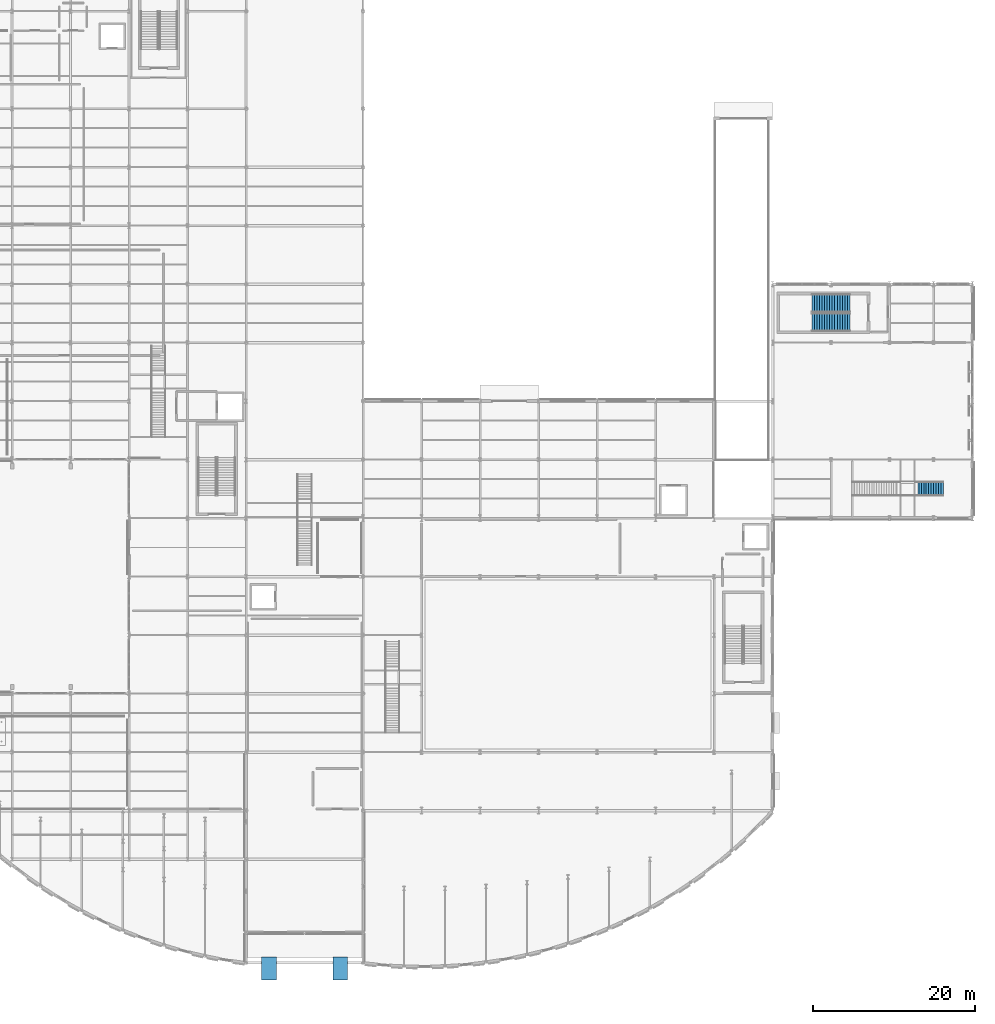
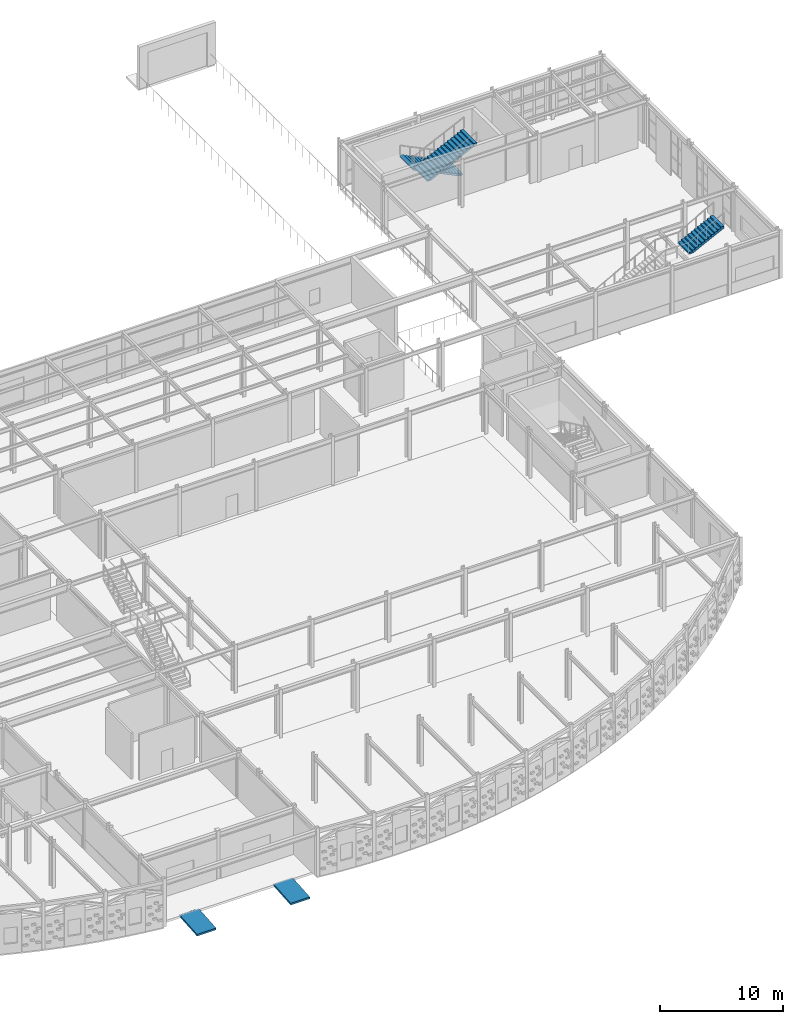
# One storey, part 67 of 83: 3 stair flights, 2 ramp flights, 4 elements without a shape of their own.
"""IFC4 building model written with IfcOpenShell, lengths in metres."""

from ifc_helpers import new_model, si_unit, direction, frame, origin, place, context, subcontext, project, spatial, polyline, outline, extrude, material, layer, layer_set, type_object, element, aggregate, save


model = new_model("IFC4")

# Units and contexts
model_context = context("Model", 3, precision=1e-05, world=origin(), true_north=direction((0.0, 1.0)))
body_context = subcontext(model_context, "Body", "Model", "MODEL_VIEW")
ifc_project = project(units=[si_unit("LENGTHUNIT", "METRE"), si_unit("AREAUNIT", "SQUARE_METRE"), si_unit("VOLUMEUNIT", "CUBIC_METRE"), si_unit("PLANEANGLEUNIT", "RADIAN"), si_unit("MASSUNIT", "GRAM", prefix="KILO")], contexts=[model_context])

# Site, building, storey
site_placement = place(None, origin())
site = spatial("IfcSite", under=ifc_project, at=site_placement, CompositionType="ELEMENT")
building_placement = place(site_placement, origin())
building = spatial("IfcBuilding", under=site, at=building_placement, Name="Solvadek Multi-Sports Hall", CompositionType="ELEMENT")
storey_placement = place(building_placement, origin())
storey = spatial("IfcBuildingStorey", under=building, at=storey_placement, Name="L00", CompositionType="ELEMENT", Elevation=0.0)

# Stair, stair flights
ifc_material = material(Name="Concrete M35", Category="concrete")
stair_type_1 = type_object("IfcStairType", Name="INT-STR-DOG220", PredefinedType="USERDEFINED", material=ifc_material)
stair_1_placement = place(storey_placement, origin())
stair_1 = element("IfcStair", 1, at=stair_1_placement, inside=storey, type_object=stair_type_1, Name="L00 Exit Stair Core ST-06 (NE Climbing Pavilion)", ObjectType="TWO_RUN_STAIR", PredefinedType="USERDEFINED")
stair_flight_type_1 = type_object("IfcStairFlightType", Name="INT-FLT-RC220", PredefinedType="STRAIGHT", material=ifc_material)
stair_flight_1_placement = place(storey_placement, frame((146.300048828125, 68.449951171875, 0.0), z_axis=(0.0, 0.0, 1.0), x_axis=(-1.0, 0.0, 0.0)))
stair_flight_1 = element("IfcStairFlight", 2, at=stair_flight_1_placement, type_object=stair_flight_type_1, Name="ST-06 flight 1", NumberOfRisers=16, NumberOfTreads=15, PredefinedType="STRAIGHT", RiserHeight=0.15, TreadLength=0.31, context=body_context, shape_type="SweptSolid", body=[
    extrude(outline(polyline([(0.0, 0.0), (0.0, 0.14990234375), (0.31005859375, 0.14990234375), (0.31005859375, 0.300048828125), (0.6201171875, 0.300048828125), (0.6201171875, 0.449951171875), (0.929931640625, 0.449951171875), (0.929931640625, 0.60009765625), (1.239990234375, 0.60009765625), (1.239990234375, 0.75), (1.550048828125, 0.75), (1.550048828125, 0.89990234375), (1.860107421875, 0.89990234375), (1.860107421875, 1.050048828125), (2.169921875, 1.050048828125), (2.169921875, 1.199951171875), (2.47998046875, 1.199951171875), (2.47998046875, 1.35009765625), (2.7900390625, 1.35009765625), (2.7900390625, 1.5), (3.10009765625, 1.5), (3.10009765625, 1.64990234375), (3.409912109375, 1.64990234375), (3.409912109375, 1.800048828125), (3.719970703125, 1.800048828125), (3.719970703125, 1.949951171875), (4.030029296875, 1.949951171875), (4.030029296875, 2.10009765625), (4.340087890625, 2.10009765625), (4.340087890625, 2.25), (4.64990234375, 2.25), (4.64990234375, 2.39990234375), (4.64990234375, 2.08349609375), (0.34423828125, 0.0), (0.0, 0.0)])), frame((0.0, 1.10009765625, 0.0), z_axis=(0.0, -1.0, 0.0), x_axis=(1.0, 0.0, 0.0)), (0.0, 0.0, 1.0), 2.199951171875),
])
stair_flight_2_placement = place(storey_placement, frame((141.64990234375, 66.10009765625, 2.39990234375), z_axis=(0.0, 0.0, 1.0), x_axis=(1.0, 0.0, 0.0)))
stair_flight_2 = element("IfcStairFlight", 3, at=stair_flight_2_placement, type_object=stair_flight_type_1, Name="ST-06 flight 2", NumberOfRisers=16, NumberOfTreads=15, PredefinedType="STRAIGHT", RiserHeight=0.15, TreadLength=0.31, context=body_context, shape_type="SweptSolid", body=[
    extrude(outline(polyline([(0.0, 0.0), (0.0, 0.14990234375), (0.31005859375, 0.14990234375), (0.31005859375, 0.300048828125), (0.6201171875, 0.300048828125), (0.6201171875, 0.449951171875), (0.929931640625, 0.449951171875), (0.929931640625, 0.60009765625), (1.239990234375, 0.60009765625), (1.239990234375, 0.75), (1.550048828125, 0.75), (1.550048828125, 0.89990234375), (1.860107421875, 0.89990234375), (1.860107421875, 1.050048828125), (2.169921875, 1.050048828125), (2.169921875, 1.199951171875), (2.47998046875, 1.199951171875), (2.47998046875, 1.35009765625), (2.7900390625, 1.35009765625), (2.7900390625, 1.5), (3.10009765625, 1.5), (3.10009765625, 1.64990234375), (3.409912109375, 1.64990234375), (3.409912109375, 1.800048828125), (3.719970703125, 1.800048828125), (3.719970703125, 1.949951171875), (4.030029296875, 1.949951171875), (4.030029296875, 2.10009765625), (4.340087890625, 2.10009765625), (4.340087890625, 2.25), (4.64990234375, 2.25), (4.64990234375, 2.39990234375), (4.64990234375, 2.08349609375), (0.34423828125, 0.0), (0.0, 0.0)])), frame((0.0, 1.10009765625, 0.0), z_axis=(0.0, -1.0, 0.0), x_axis=(1.0, 0.0, 0.0)), (0.0, 0.0, 1.0), 2.199951171875),
])
aggregate(stair_1, [stair_flight_1, stair_flight_2])

# Stair, stair flight
stair_type_2 = type_object("IfcStairType", Name="INT-STR-VOM180", PredefinedType="STRAIGHT_RUN_STAIR", material=ifc_material)
stair_2_placement = place(storey_placement, origin())
stair_2 = element("IfcStair", 4, at=stair_2_placement, inside=storey, type_object=stair_type_2, Name="L00 Monumental and Access Stair ST-11", PredefinedType="STRAIGHT_RUN_STAIR")
stair_flight_type_2 = type_object("IfcStairFlightType", Name="INT-FLT-VOM180", PredefinedType="STRAIGHT", material=ifc_material)
stair_flight_3_placement = place(storey_placement, frame((154.5, 45.60009765625, 3.0), z_axis=(0.0, 0.0, 1.0), x_axis=(1.0, 0.0, 0.0)))
stair_flight_3 = element("IfcStairFlight", 5, at=stair_flight_3_placement, type_object=stair_flight_type_2, Name="ST-11 flight 2", NumberOfRisers=12, NumberOfTreads=11, PredefinedType="STRAIGHT", RiserHeight=0.15, TreadLength=0.3, context=body_context, shape_type="SweptSolid", body=[
    extrude(outline(polyline([(0.0, 0.0), (0.0, 0.14990234375), (0.300048828125, 0.14990234375), (0.300048828125, 0.300048828125), (0.60009765625, 0.300048828125), (0.60009765625, 0.449951171875), (0.89990234375, 0.449951171875), (0.89990234375, 0.60009765625), (1.199951171875, 0.60009765625), (1.199951171875, 0.75), (1.5, 0.75), (1.5, 0.89990234375), (1.800048828125, 0.89990234375), (1.800048828125, 1.050048828125), (2.10009765625, 1.050048828125), (2.10009765625, 1.199951171875), (2.39990234375, 1.199951171875), (2.39990234375, 1.35009765625), (2.699951171875, 1.35009765625), (2.699951171875, 1.5), (3.0, 1.5), (3.0, 1.64990234375), (3.300048828125, 1.64990234375), (3.300048828125, 1.800048828125), (3.300048828125, 1.44873046875), (0.40234375, 0.0), (0.0, 0.0)])), frame((0.0, 0.89990234375, 0.0), z_axis=(0.0, -1.0, 0.0), x_axis=(1.0, 0.0, 0.0)), (0.0, 0.0, 1.0), 1.800048828125),
])
aggregate(stair_2, [stair_flight_3])

# Ramp, ramp flight
ramp_type = type_object("IfcRampType", Name="INT-RMP-ACC180", PredefinedType="STRAIGHT_RUN_RAMP", material=ifc_material)
ramp_1_placement = place(storey_placement, origin())
ramp_1 = element("IfcRamp", 6, at=ramp_1_placement, inside=storey, type_object=ramp_type, Name="Accessible Portico Threshold Ramp AR-01", PredefinedType="STRAIGHT_RUN_RAMP")
ifc_layer = layer(ifc_material, 0.199951171875, Name="Concrete M35")
ifc_layer_set = layer_set([ifc_layer], Name="Concrete M35")
ramp_flight_type = type_object("IfcRampFlightType", Name="INT-RFL-ACC180", PredefinedType="STRAIGHT", material=ifc_layer_set)
ramp_flight_1_placement = place(storey_placement, frame((74.800048828125, -14.85009765625, -0.219970703125), z_axis=(0.0, 0.0, 1.0), x_axis=(0.0, 1.0, 0.0)))
ramp_flight_1 = element("IfcRampFlight", 7, at=ramp_flight_1_placement, type_object=ramp_flight_type, Name="Accessible Portico Ramp Flight AR-01", PredefinedType="STRAIGHT", context=body_context, shape_type="SweptSolid", body=[
    extrude(outline(polyline([(0.0, 0.0), (2.85009765625, 0.219970703125), (2.85009765625, 0.0400390625), (0.0, -0.179931640625), (0.0, 0.0)])), frame((0.0, 0.89990234375, 0.0), z_axis=(0.0, -1.0, 0.0), x_axis=(1.0, 0.0, 0.0)), (0.0, 0.0, 1.0), 1.800048828125),
])
aggregate(ramp_1, [ramp_flight_1])

ramp_2_placement = place(storey_placement, origin())
ramp_2 = element("IfcRamp", 8, at=ramp_2_placement, inside=storey, type_object=ramp_type, Name="Accessible Portico Threshold Ramp AR-02", PredefinedType="STRAIGHT_RUN_RAMP")
ramp_flight_2_placement = place(storey_placement, frame((83.60009765625, -14.85009765625, -0.219970703125), z_axis=(0.0, 0.0, 1.0), x_axis=(0.0, 1.0, 0.0)))
ramp_flight_2 = element("IfcRampFlight", 9, at=ramp_flight_2_placement, type_object=ramp_flight_type, Name="Accessible Portico Ramp Flight AR-02", PredefinedType="STRAIGHT", context=body_context, shape_type="SweptSolid", body=[
    extrude(outline(polyline([(0.0, 0.0), (2.85009765625, 0.219970703125), (2.85009765625, 0.0400390625), (0.0, -0.179931640625), (0.0, 0.0)])), frame((0.0, 0.89990234375, 0.0), z_axis=(0.0, -1.0, 0.0), x_axis=(1.0, 0.0, 0.0)), (0.0, 0.0, 1.0), 1.800048828125),
])
aggregate(ramp_2, [ramp_flight_2])

save(model, "model.ifc")
